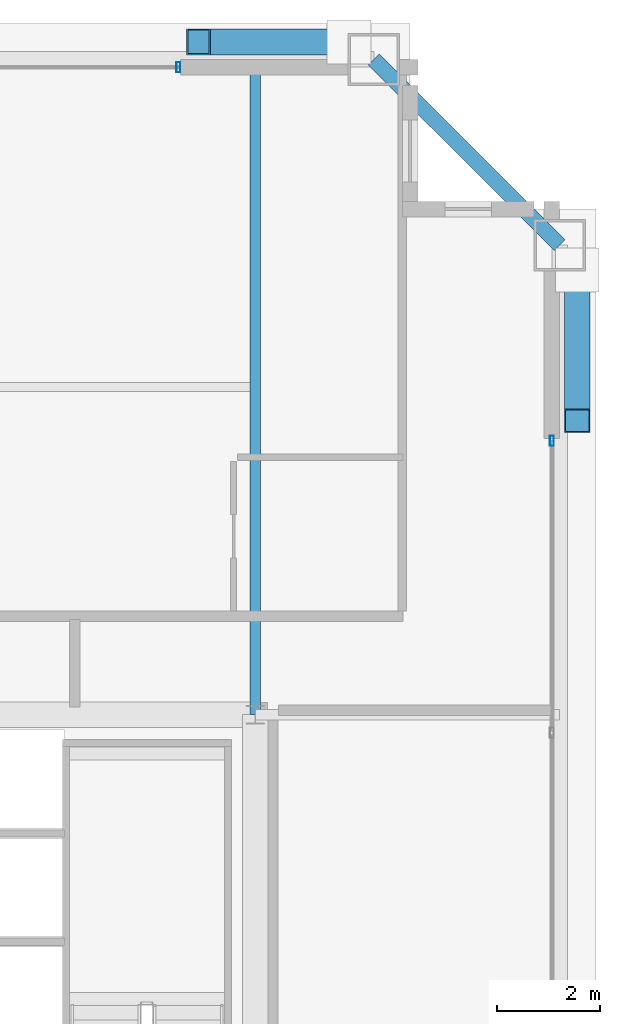
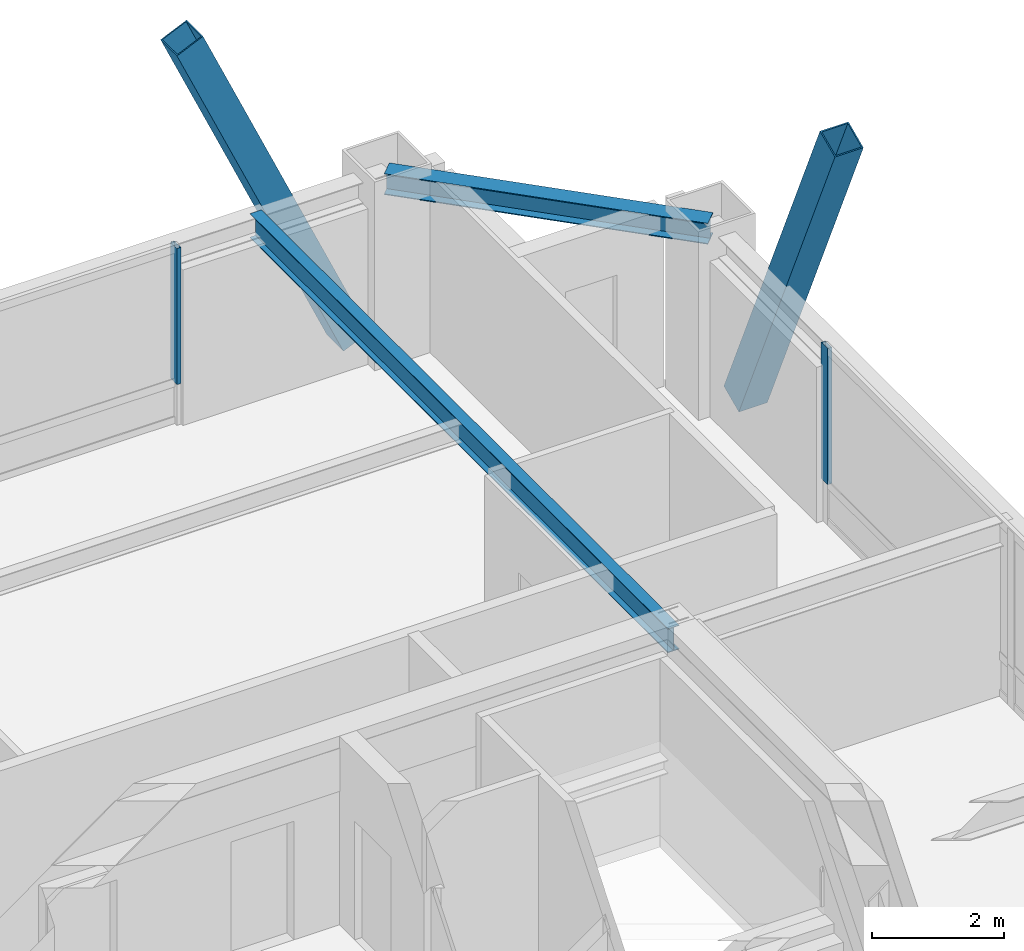
# One storey, part 18 of 33: 4 members, 2 beams, 2 elements without a shape of their own.
"""IFC4 building model written with IfcOpenShell, lengths in metres."""

from ifc_helpers import new_model, si_unit, direction, frame, origin, origin_2d, place, context, subcontext, project, spatial, hollow_rectangle, i_section, extrude, source, transform, mapped, material, layer, layer_set, material_profile, profile_set, type_object, element, aggregate, save


model = new_model("IFC4")

# Units and contexts
model_context = context("Model", 3, precision=1e-05, world=origin(), true_north=direction((0.0, 1.0)))
body_context = subcontext(model_context, "Body", "Model", "MODEL_VIEW")
ifc_project = project(units=[si_unit("LENGTHUNIT", "METRE"), si_unit("AREAUNIT", "SQUARE_METRE"), si_unit("VOLUMEUNIT", "CUBIC_METRE"), si_unit("PLANEANGLEUNIT", "RADIAN"), si_unit("MASSUNIT", "GRAM", prefix="KILO"), si_unit("THERMODYNAMICTEMPERATUREUNIT", "KELVIN"), si_unit("POWERUNIT", "WATT")], contexts=[model_context])

# Site, building, storey
site_placement = place(None, origin())
site = spatial("IfcSite", under=ifc_project, at=site_placement, CompositionType="ELEMENT")
building_placement = place(site_placement, origin())
building = spatial("IfcBuilding", under=site, at=building_placement, Name="Yuzanri Waterfront Tower", CompositionType="ELEMENT")
storey_placement = place(building_placement, frame((0.0, 0.0, 321.699951171875)))
storey = spatial("IfcBuildingStorey", under=building, at=storey_placement, Name="L86", CompositionType="ELEMENT", Elevation=321.699951171875)

# Beams
ifc_material_1 = material(Name="Steel Q355B", Category="steel")
ifc_material_profile_1 = material_profile(ifc_material_1, i_section(OverallWidth=0.300048828125, OverallDepth=0.389892578125, WebThickness=0.010009765625, FlangeThickness=0.01611328125, at=origin_2d()), Name="HM 390x300x10x16")
ifc_profile_set_1 = profile_set([ifc_material_profile_1], Name="Steel Q355B")
beam_type_1 = type_object("IfcBeamType", Name="Perimeter Spandrel Q355B HM 390x300", PredefinedType="SPANDREL", material=ifc_profile_set_1)
shared_shape_1 = source(origin(), body_context, "Body", "SweptSolid", [
    extrude(i_section(OverallWidth=0.300048828125, OverallDepth=0.389892578125, WebThickness=0.010009765625, FlangeThickness=0.01611328125, at=origin_2d()), origin(), (0.0, 0.0, 1.0), 5.091064453125),
])
beam_1_placement = place(storey_placement, frame((56.10009765625, 41.300048828125, 3.0849609375), z_axis=(-0.707130757816, 0.707082803744, 0.0), x_axis=(-0.707082803744, -0.707130757816, 0.0)))
element("IfcBeam", 1, at=beam_1_placement, inside=storey, type_object=beam_type_1, Name="L86 Perimeter Spandrel E3-N3", PredefinedType="SPANDREL", context=body_context, shape_type="MappedRepresentation", body=[
    mapped(shared_shape_1, transform((0.0, 0.0, 0.0), scale=1.0)),
])
ifc_material_2 = material(Name="Steel Q355B", Category="steel")
ifc_material_profile_2 = material_profile(ifc_material_2, i_section(OverallWidth=0.199951171875, OverallDepth=0.449951171875, WebThickness=0.009033203125, FlangeThickness=0.013916015625, at=origin_2d()), Name="HN 450x200x9x14")
ifc_profile_set_2 = profile_set([ifc_material_profile_2], Name="Steel Q355B")
beam_type_2 = type_object("IfcBeamType", Name="Secondary Floor Beam Q355B HN 450x200", PredefinedType="BEAM", material=ifc_profile_set_2)
shared_shape_2 = source(origin(), body_context, "Body", "SweptSolid", [
    extrude(i_section(OverallWidth=0.199951171875, OverallDepth=0.449951171875, WebThickness=0.009033203125, FlangeThickness=0.013916015625, at=origin_2d()), origin(), (0.0, 0.0, 1.0), 12.699951171875),
])
beam_2_placement = place(storey_placement, frame((50.199951171875, 32.199951171875, 3.054931640625), z_axis=(0.0, 1.0, 0.0), x_axis=(-1.0, 0.0, 0.0)))
element("IfcBeam", 2, at=beam_2_placement, inside=storey, type_object=beam_type_2, Name="L86 North-East Core Line Beam", PredefinedType="BEAM", context=body_context, shape_type="MappedRepresentation", body=[
    mapped(shared_shape_2, transform((0.0, 0.0, 0.0), scale=1.0)),
])

# Members
ifc_material_3 = material(Name="Steel Q390GJC", Category="steel")
ifc_material_profile_3 = material_profile(ifc_material_3, hollow_rectangle(XDim=0.5, YDim=0.5, WallThickness=0.02197265625, at=origin_2d()), Name="RHS 500x500x22")
ifc_profile_set_3 = profile_set([ifc_material_profile_3], Name="Steel Q390GJC")
member_type_1 = type_object("IfcMemberType", Name="Mega Brace Upper Q390GJC RHS 500x500x22", PredefinedType="BRACE", material=ifc_profile_set_3)
shared_shape_3 = source(origin(), body_context, "Body", "SweptSolid", [
    extrude(hollow_rectangle(XDim=0.5, YDim=0.5, WallThickness=0.02197265625, at=origin_2d()), origin(), (0.0, 0.0, 1.0), 7.125732421875),
])
for number, where, z_axis, x_axis, name in (
    (3, (52.02001953125, 45.239990234375, 0.179931640625), (-0.409771952938, 0.0, 0.912187999584), (0.0, -1.0, 0.0), "L86-L87 Perimeter Mega-Brace N-R"),
    (4, (56.43994140625, 40.820068359375, 0.179931640625), (0.0, -0.409800461192, 0.912175192607), (1.0, 0.0, 0.0), "L86-L87 Perimeter Mega-Brace E-R"),
):
    element("IfcMember", number, at=place(storey_placement, frame(where, z_axis=z_axis, x_axis=x_axis)), inside=storey, type_object=member_type_1, Name=name, PredefinedType="BRACE", context=body_context, shape_type="MappedRepresentation", body=[
        mapped(shared_shape_3, transform((0.0, 0.0, 0.0), scale=1.0)),
    ])

# Curtain wall, member
ifc_material_4 = material(Name="Anodized Architectural Bronze", Category="metal")
ifc_layer = layer(ifc_material_4, 0.159912109375)
ifc_layer_set = layer_set([ifc_layer], Name="Anodized Architectural Bronze")
curtain_wall_type = type_object("IfcCurtainWallType", Name="Anodized Bronze High-Rise Penthouse High-Wind Unitized Curtain Wall 6900", PredefinedType="NOTDEFINED", material=ifc_layer_set)
curtain_wall_1_placement = place(storey_placement, origin())
curtain_wall_1 = element("IfcCurtainWall", 5, at=curtain_wall_1_placement, inside=storey, type_object=curtain_wall_type, Name="L86 Curtain Wall CW-L86-NR", PredefinedType="NOTDEFINED")
ifc_material_5 = material(Name="Anodized Architectural Bronze", Category="metal")
ifc_material_profile_4 = material_profile(ifc_material_5, hollow_rectangle(XDim=0.074951171875, YDim=0.199951171875, WallThickness=0.00390625, at=origin_2d()), Name="CWM 75x200")
ifc_profile_set_4 = profile_set([ifc_material_profile_4], Name="Anodized Architectural Bronze")
member_type_2 = type_object("IfcMemberType", Name="Anodized Bronze Primary Curtain-Wall Mullion 75x200", PredefinedType="MULLION", material=ifc_profile_set_4)
shared_shape_4 = source(origin(), body_context, "Body", "SweptSolid", [
    extrude(hollow_rectangle(XDim=0.074951171875, YDim=0.199951171875, WallThickness=0.00390625, at=origin_2d()), origin(), (0.0, 0.0, 1.0), 2.52392578125),
])
member_1_placement = place(storey_placement, frame((48.7099609375, 44.75, 0.756103515625), z_axis=(0.0, 0.0, 1.0), x_axis=(1.0, 0.0, 0.0)))
member_1 = element("IfcMember", 6, at=member_1_placement, type_object=member_type_2, Name="CW-L86-NR Upper Mullion 02", PredefinedType="MULLION", context=body_context, shape_type="MappedRepresentation", body=[
    mapped(shared_shape_4, transform((0.0, 0.0, 0.0), scale=1.0)),
])
aggregate(curtain_wall_1, [member_1])

curtain_wall_2_placement = place(storey_placement, origin())
curtain_wall_2 = element("IfcCurtainWall", 7, at=curtain_wall_2_placement, inside=storey, type_object=curtain_wall_type, Name="L86 Curtain Wall CW-L86-ER", PredefinedType="NOTDEFINED")
member_2_placement = place(storey_placement, frame((55.949951171875, 37.510009765625, 0.756103515625), z_axis=(0.0, 0.0, 1.0), x_axis=(1.0, 0.0, 0.0)))
member_2 = element("IfcMember", 8, at=member_2_placement, type_object=member_type_2, Name="CW-L86-ER Upper Mullion 02", PredefinedType="MULLION", context=body_context, shape_type="MappedRepresentation", body=[
    mapped(shared_shape_4, transform((0.0, 0.0, 0.0), scale=1.0)),
])
aggregate(curtain_wall_2, [member_2])

save(model, "model.ifc")
